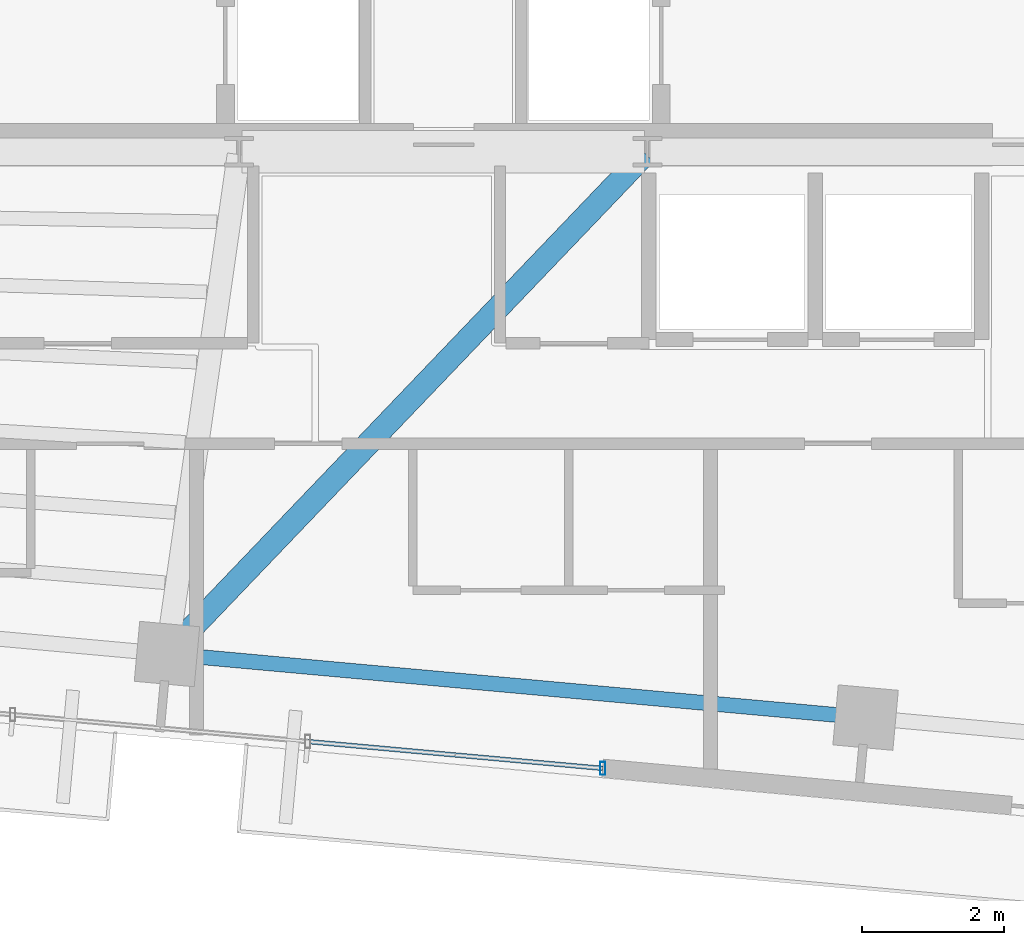
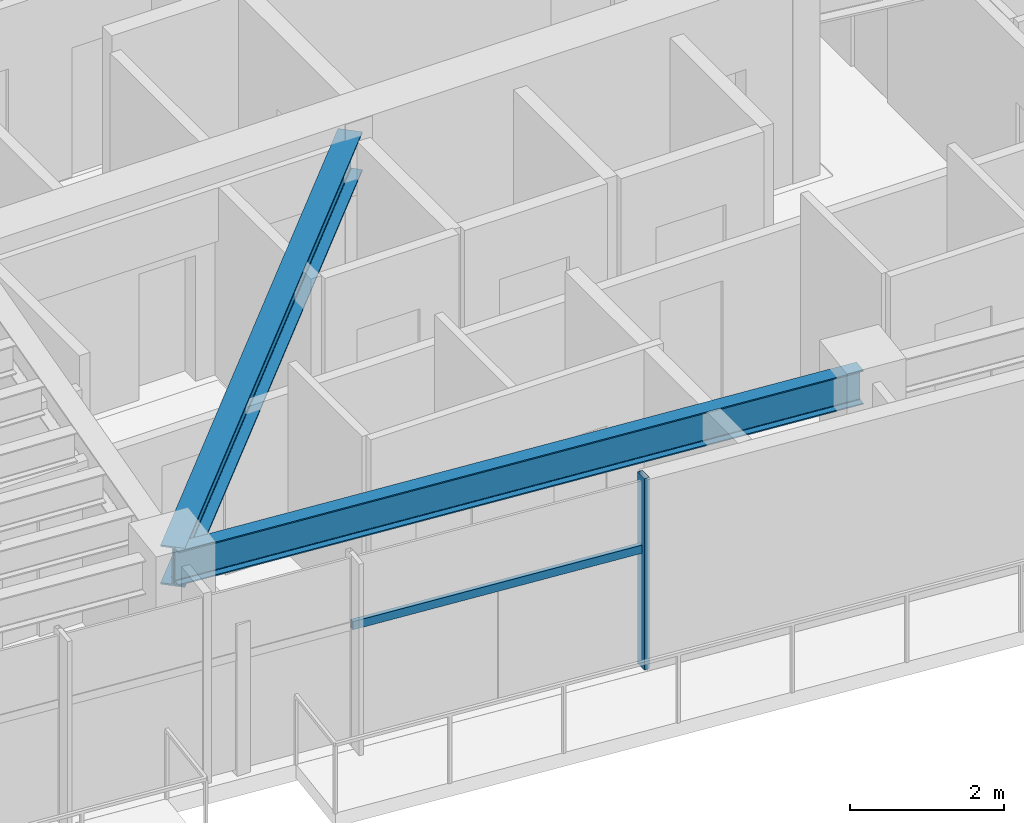
# One storey, part 7 of 22: 2 beams, 2 members, 1 element without a shape of its own.
"""IFC4 building model written with IfcOpenShell, lengths in metres."""

from ifc_helpers import new_model, si_unit, direction, frame, origin, origin_2d, place, context, subcontext, project, spatial, hollow_rectangle, i_section, extrude, source, transform, mapped, material, material_profile, profile_set, type_object, type_shapes, element, aggregate, save


model = new_model("IFC4")

# Units and contexts
model_context = context("Model", 3, precision=1e-05, world=origin(), true_north=direction((0.0, 1.0)))
body_context = subcontext(model_context, "Body", "Model", "MODEL_VIEW")
ifc_project = project(units=[si_unit("LENGTHUNIT", "METRE"), si_unit("AREAUNIT", "SQUARE_METRE"), si_unit("VOLUMEUNIT", "CUBIC_METRE"), si_unit("PLANEANGLEUNIT", "RADIAN"), si_unit("MASSUNIT", "GRAM", prefix="KILO")], contexts=[model_context])

# Site, building, storey
site_placement = place(None, origin())
site = spatial("IfcSite", under=ifc_project, at=site_placement, CompositionType="ELEMENT")
building_placement = place(site_placement, origin())
building = spatial("IfcBuilding", under=site, at=building_placement, Name="Astriad Promenade Condominiums", CompositionType="ELEMENT")
storey_placement = place(building_placement, frame((0.0, 0.0, 233.10009765625)))
storey = spatial("IfcBuildingStorey", under=building, at=storey_placement, Name="L67", CompositionType="ELEMENT", Elevation=233.10009765625)

# Beams
ifc_material_1 = material(Name="Steel ASTM A992 Grade 50", Category="steel")
ifc_material_profile_1 = material_profile(ifc_material_1, i_section(OverallWidth=0.210693359375, OverallDepth=0.53955078125, WebThickness=0.01171875, FlangeThickness=0.018798828125, FilletRadius=0.0166015625, at=origin_2d()), Name="W21X73")
ifc_profile_set_1 = profile_set([ifc_material_profile_1], Name="Steel ASTM A992 Grade 50")
beam_type_1 = type_object("IfcBeamType", Name="STEEL SPANDREL BEAM W21X73", PredefinedType="SPANDREL", material=ifc_profile_set_1)
shared_shape_1 = source(origin(), body_context, "Body", "SweptSolid", [
    extrude(i_section(OverallWidth=0.210693359375, OverallDepth=0.53955078125, WebThickness=0.01171875, FlangeThickness=0.018798828125, FilletRadius=0.0166015625, at=origin_2d()), origin(), (0.0, 0.0, 1.0), 9.820068359375),
])
type_shapes(beam_type_1, [shared_shape_1])
beam_1_placement = place(storey_placement, frame((32.14013671875, 10.30810546875, 2.77001953125), z_axis=(0.995885663174, -0.090618683965, 0.0), x_axis=(0.090618683965, 0.995885663174, 0.0)))
element("IfcBeam", 1, at=beam_1_placement, inside=storey, type_object=beam_type_1, Name="Perimeter Spandrel Beam SP-S3-L67", PredefinedType="SPANDREL", context=body_context, shape_type="MappedRepresentation", body=[
    mapped(shared_shape_1, transform((0.0, 0.0, 0.0), scale=1.0)),
])
ifc_material_profile_2 = material_profile(ifc_material_1, i_section(OverallWidth=0.326416015625, OverallDepth=0.621826171875, WebThickness=0.015380859375, FlangeThickness=0.0244140625, FilletRadius=0.017822265625, at=origin_2d()), Name="W24X131")
ifc_profile_set_2 = profile_set([ifc_material_profile_2], Name="Steel ASTM A992 Grade 50")
beam_type_2 = type_object("IfcBeamType", Name="STEEL FLOOR GIRDER W24X131", PredefinedType="BEAM", material=ifc_profile_set_2)
shared_shape_2 = source(origin(), body_context, "Body", "SweptSolid", [
    extrude(i_section(OverallWidth=0.326416015625, OverallDepth=0.621826171875, WebThickness=0.015380859375, FlangeThickness=0.0244140625, FilletRadius=0.017822265625, at=origin_2d()), origin(), (0.0, 0.0, 1.0), 9.728515625),
])
type_shapes(beam_type_2, [shared_shape_2])
beam_2_placement = place(storey_placement, frame((32.1279296875, 10.3408203125, 2.72900390625), z_axis=(0.691209540622, 0.722654392468, 0.0), x_axis=(-0.722654392468, 0.691209540622, 0.0)))
element("IfcBeam", 2, at=beam_2_placement, inside=storey, type_object=beam_type_2, Name="Primary Floor Girder PG-C2-L67", PredefinedType="BEAM", context=body_context, shape_type="MappedRepresentation", body=[
    mapped(shared_shape_2, transform((0.0, 0.0, 0.0), scale=1.0)),
])

# Curtain wall, members
ifc_material_2 = material(Name="Anodised aluminium Black Dark Glass Unitised", Category="aluminium")
curtain_wall_type = type_object("IfcCurtainWallType", Name="CW-B5-DARK", PredefinedType="USERDEFINED", material=ifc_material_2)
curtain_wall_placement = place(storey_placement, origin())
curtain_wall = element("IfcCurtainWall", 3, at=curtain_wall_placement, inside=storey, type_object=curtain_wall_type, Name="CW-L67-S", ObjectType="UNITISED_CURTAIN_WALL", PredefinedType="USERDEFINED")
ifc_material_3 = material(Name="Anodised aluminium 6063-T6 Black", Category="aluminium")
ifc_material_profile_3 = material_profile(ifc_material_3, hollow_rectangle(XDim=0.074951171875, YDim=0.18505859375, WallThickness=0.00439453125, at=origin_2d()), Name="ALU-MUL-75X185")
ifc_profile_set_3 = profile_set([ifc_material_profile_3], Name="Anodised aluminium 6063-T6 Black")
member_type_1 = type_object("IfcMemberType", Name="MUL-ALU-MUL-75X185", PredefinedType="MULLION", material=ifc_profile_set_3)
shared_shape_3 = source(origin(), body_context, "Body", "SweptSolid", [
    extrude(hollow_rectangle(XDim=0.074951171875, YDim=0.18505859375, WallThickness=0.00439453125, at=origin_2d()), origin(), (0.0, 0.0, 1.0), 3.039794921875),
])
type_shapes(member_type_1, [shared_shape_3])
member_1_placement = place(storey_placement, frame((38.24951171875, 8.69775390625, 0.0), z_axis=(0.0, 0.0, 1.0), x_axis=(1.0, 0.0, 0.0)))
member_1 = element("IfcMember", 4, at=member_1_placement, type_object=member_type_1, Name="CW-L67-S-MUL-00", PredefinedType="MULLION", context=body_context, shape_type="MappedRepresentation", body=[
    mapped(shared_shape_3, transform((0.0, 0.0, 0.0), scale=1.0)),
])
ifc_material_profile_4 = material_profile(ifc_material_3, hollow_rectangle(XDim=0.06494140625, YDim=0.1298828125, WallThickness=0.00390625, at=origin_2d()), Name="ALU-TRN-65X130")
ifc_profile_set_4 = profile_set([ifc_material_profile_4], Name="Anodised aluminium 6063-T6 Black")
member_type_2 = type_object("IfcMemberType", Name="TRN-ALU-TRN-65X130", PredefinedType="USERDEFINED", material=ifc_profile_set_4)
shared_shape_4 = source(origin(), body_context, "Body", "SweptSolid", [
    extrude(hollow_rectangle(XDim=0.06494140625, YDim=0.1298828125, WallThickness=0.00390625, at=origin_2d()), origin(), (0.0, 0.0, 1.0), 4.179931640625),
])
type_shapes(member_type_2, [shared_shape_4])
member_2_placement = place(storey_placement, frame((38.24951171875, 8.69775390625, 1.884765625), z_axis=(-0.995883146811, 0.090646334165, 0.0), x_axis=(-0.090646334165, -0.995883146811, 0.0)))
member_2 = element("IfcMember", 5, at=member_2_placement, type_object=member_type_2, Name="CW-L67-S-TRN-00-0", ObjectType="TRANSOM", PredefinedType="USERDEFINED", context=body_context, shape_type="MappedRepresentation", body=[
    mapped(shared_shape_4, transform((0.0, 0.0, 0.0), scale=1.0)),
])
aggregate(curtain_wall, [member_1, member_2])

save(model, "model.ifc")
